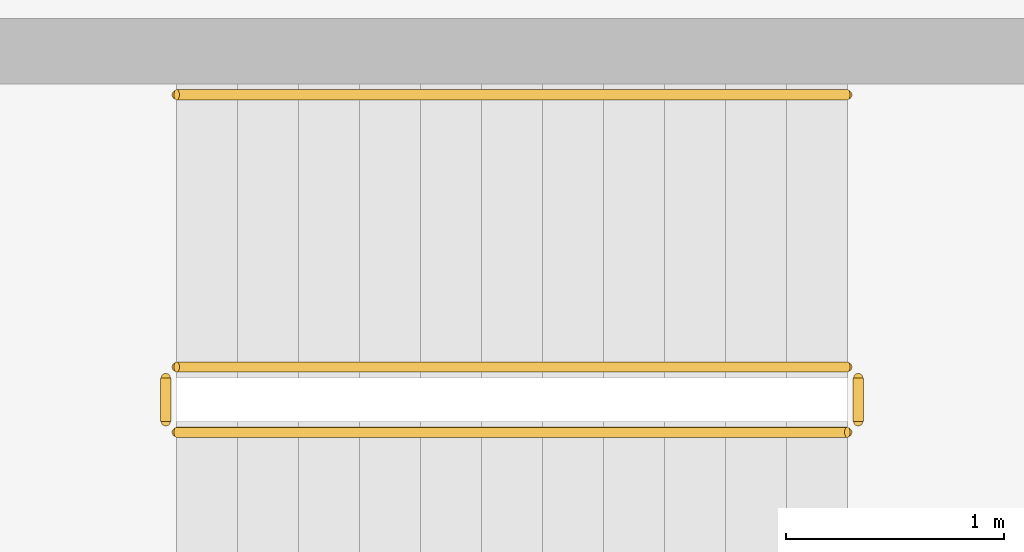
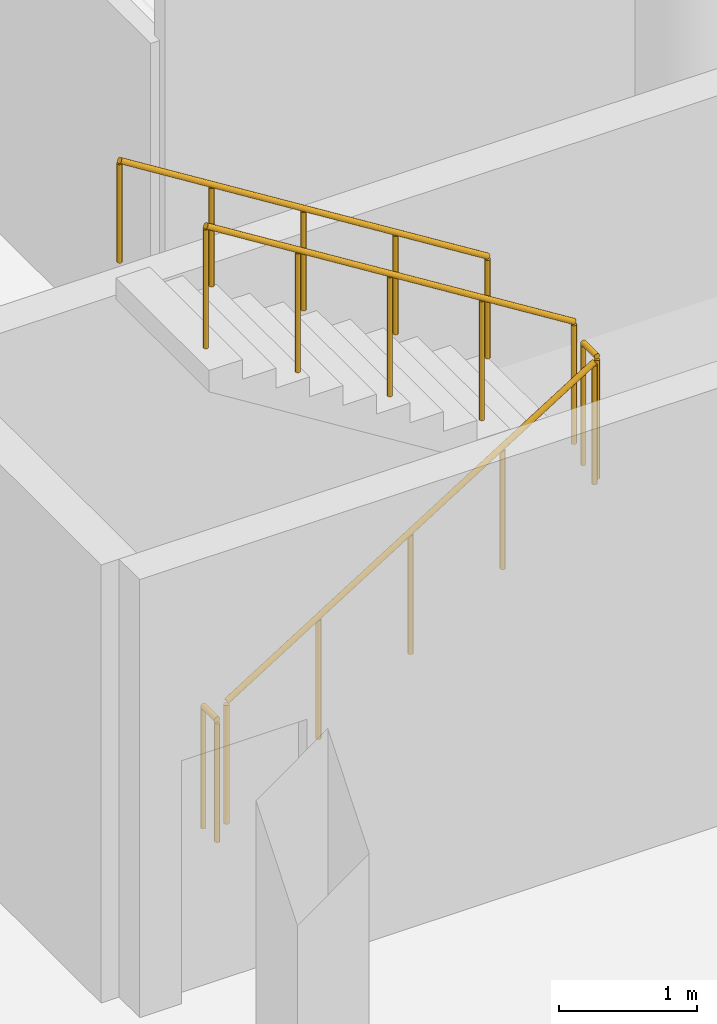
# One storey, part 87 of 90: 5 railings.
"""IFC4 building model written with IfcOpenShell, lengths in metres."""

import ifcopenshell
import ifcopenshell.guid

model = None  # the IFC model being written
_history = None  # IfcOwnerHistory: only IFC2X3 demands one
_inside = {}  # id of a spatial element -> (the spatial element, [elements in it])
_under = {}  # id of a project, library or spatial element -> (it, [spatial elements below it])
_declared = {}  # id of a project -> (the project, [libraries it declares])
_typed = {}  # id of a type object -> (the type object, [elements of that type])
_made_of = {}  # id of a material, layer set ... -> (it, [elements and type objects made of it])


def new_model(schema):
    """Start an empty IFC model of exactly this schema.

    Asked for "IFC4X3", IfcOpenShell would pick the latest addendum, in which some entities
    have other attributes; the version numbers below select the first issue.
    IFC2X3 requires an IfcOwnerHistory on every rooted entity: one is made here for all.
    """
    global model, _history
    if schema == "IFC4X3":
        model = ifcopenshell.file(schema_version=(4, 3, 0, 0))
    else:
        model = ifcopenshell.file(schema=schema)
    _inside.clear()
    _under.clear()
    _declared.clear()
    _typed.clear()
    _made_of.clear()
    _history = None
    if model.schema == "IFC2X3":
        org = make("IfcOrganization", Name="unknown")
        user = make(
            "IfcPersonAndOrganization",
            ThePerson=make("IfcPerson", FamilyName="unknown"),
            TheOrganization=org,
        )
        app = make(
            "IfcApplication",
            ApplicationDeveloper=org,
            Version="unknown",
            ApplicationFullName="unknown",
            ApplicationIdentifier="unknown",
        )
        _history = make(
            "IfcOwnerHistory",
            OwningUser=user,
            OwningApplication=app,
            ChangeAction="ADDED",
            CreationDate=0,
        )
    return model


def make(cls, **values):
    """One entity of the class cls with the attributes given. An attribute that is None is left unset."""
    return model.create_entity(
        cls, **{name: value for name, value in values.items() if value is not None}
    )


def rooted(cls, **values):
    """An entity with a GlobalId (a new one), such as an element, a storey or a relation."""
    return make(cls, GlobalId=ifcopenshell.guid.new(), OwnerHistory=_history, **values)


def si_unit(unit_type, name, prefix=None):
    """IfcSIUnit, for example si_unit("LENGTHUNIT", "METRE", prefix="MILLI")."""
    return make("IfcSIUnit", UnitType=unit_type, Prefix=prefix, Name=name)


def assignment(units):
    """IfcUnitAssignment: the units of a project."""
    return None if units is None else make("IfcUnitAssignment", Units=units)


def point(xyz):
    """IfcCartesianPoint."""
    return None if xyz is None else make("IfcCartesianPoint", Coordinates=xyz)


def direction(xyz):
    """IfcDirection."""
    return None if xyz is None else make("IfcDirection", DirectionRatios=xyz)


def frame(location, z_axis=None, x_axis=None):
    """IfcAxis2Placement3D, a coordinate frame: its origin and axes. An axis left out is left unset."""
    return make(
        "IfcAxis2Placement3D",
        Location=point(location),
        Axis=direction(z_axis),
        RefDirection=direction(x_axis),
    )


def frame_2d(location, x_axis=None):
    """IfcAxis2Placement2D, a coordinate frame in the plane: its origin and x axis."""
    return make(
        "IfcAxis2Placement2D", Location=point(location), RefDirection=direction(x_axis)
    )


def origin():
    """The frame at (0, 0, 0) with its axes left unset."""
    return frame((0.0, 0.0, 0.0))


def origin_2d():
    """The frame at (0, 0) in the plane with its x axis left unset."""
    return frame_2d((0.0, 0.0))


def place(relative_to, where):
    """IfcLocalPlacement: puts the frame where relative to a parent placement (None: the world)."""
    return make(
        "IfcLocalPlacement", PlacementRelTo=relative_to, RelativePlacement=where
    )


def context(
    kind, dimensions, precision=None, world=None, true_north=None, identifier=None
):
    """IfcGeometricRepresentationContext, for example the 3D "Model" context."""
    return make(
        "IfcGeometricRepresentationContext",
        ContextIdentifier=identifier,
        ContextType=kind,
        CoordinateSpaceDimension=dimensions,
        Precision=precision,
        WorldCoordinateSystem=world,
        TrueNorth=true_north,
    )


def subcontext(parent, identifier, kind, view, scale=None):
    """IfcGeometricRepresentationSubContext, for example "Body" below "Model"."""
    return make(
        "IfcGeometricRepresentationSubContext",
        ContextIdentifier=identifier,
        ContextType=kind,
        ParentContext=parent,
        TargetScale=scale,
        TargetView=view,
    )


def project(units=None, contexts=None):
    """IfcProject with its units and contexts."""
    return rooted(
        "IfcProject",
        Name="project",
        RepresentationContexts=contexts,
        UnitsInContext=assignment(units),
    )


def spatial(cls, under=None, at=None, **own):
    """A site, building, storey or space (cls), placed at a placement, below another one or the project."""
    s = rooted(cls, ObjectPlacement=at, **own)
    if under is not None:
        _under.setdefault(under.id(), (under, []))[1].append(s)
    return s


def profile(cls, at=None, kind="AREA", **sizes):
    """A parametric profile (cls). Its sizes go by their IFC names, for example OverallWidth=200.0."""
    return make(cls, ProfileType=kind, Position=at, **sizes)


def circle(**sizes):
    """IfcCircleProfileDef."""
    return profile("IfcCircleProfileDef", **sizes)


def extrude(swept, where, along, depth):
    """IfcExtrudedAreaSolid: the profile swept, set in the frame where, extruded along a direction by depth."""
    return make(
        "IfcExtrudedAreaSolid",
        SweptArea=swept,
        Position=where,
        ExtrudedDirection=direction(along),
        Depth=depth,
    )


def shape(context_of_items, identifier, shape_type, items):
    """IfcShapeRepresentation: the items that make up one representation, for example the "Body"."""
    return make(
        "IfcShapeRepresentation",
        ContextOfItems=context_of_items,
        RepresentationIdentifier=identifier,
        RepresentationType=shape_type,
        Items=items,
    )


def material(Name=None, Category=None):
    """IfcMaterial."""
    return make("IfcMaterial", Name=Name, Category=Category)


def layer(
    of_material, thickness, ventilated=None, Name=None, Category=None, Priority=None
):
    """IfcMaterialLayer: one layer of a wall or slab, of a material (None: an air gap)."""
    return make(
        "IfcMaterialLayer",
        Material=of_material,
        LayerThickness=thickness,
        IsVentilated=ventilated,
        Name=Name,
        Category=Category,
        Priority=Priority,
    )


def layer_set(layers, Name=None):
    """IfcMaterialLayerSet."""
    return make("IfcMaterialLayerSet", MaterialLayers=layers, LayerSetName=Name)


def made_of(thing, what):
    """Note that an element or type object is made of a material, layer set ...; save() writes the relation."""
    if what is not None:
        _made_of.setdefault(what.id(), (what, []))[1].append(thing)
    return thing


def type_object(cls, material=None, **own):
    """A type object (cls), such as IfcWallType, which elements share."""
    return made_of(rooted(cls, **own), material)


def element(
    cls,
    number,
    at=None,
    inside=None,
    cuts=None,
    type_object=None,
    material=None,
    context=None,
    identifier="Body",
    shape_type=None,
    held_by="IfcProductDefinitionShape",
    body=None,
    shapes=None,
    **own,
):
    """One element of the class cls, such as IfcWall. Its Tag is "e" and its number.

    at: its placement. inside: the storey or other place that contains it. cuts: it is an
    opening in that element (IfcRelVoidsElement). A single representation is given by context,
    identifier, shape_type and body (its items); several are given by shapes. held_by: the class
    of the entity that holds the representations. save() writes the other relations.
    """
    e = rooted(cls, Tag="e%d" % number, ObjectPlacement=at, **own)
    if body is not None:
        shapes = [shape(context, identifier, shape_type, body)]
    if shapes is not None:
        e.Representation = make(held_by, Representations=shapes)
    if inside is not None:
        _inside.setdefault(inside.id(), (inside, []))[1].append(e)
    if cuts is not None:
        rooted(
            "IfcRelVoidsElement", RelatingBuildingElement=cuts, RelatedOpeningElement=e
        )
    if type_object is not None:
        _typed.setdefault(type_object.id(), (type_object, []))[1].append(e)
    return made_of(e, material)


def aggregate(whole, parts):
    """IfcRelAggregates: a whole, such as a stair, and the parts it consists of."""
    return rooted("IfcRelAggregates", RelatingObject=whole, RelatedObjects=parts)


def save(model, path):
    """Write the relations noted so far, then the file.

    IfcRelAggregates (storeys below a building ...), IfcRelContainedInSpatialStructure (elements
    in a storey), IfcRelDefinesByType, IfcRelAssociatesMaterial and IfcRelDeclares: one each for
    every whole, place, type object, material and project.
    """
    for whole, parts in _under.values():
        aggregate(whole, parts)
    for where, things in _inside.values():
        rooted(
            "IfcRelContainedInSpatialStructure",
            RelatedElements=things,
            RelatingStructure=where,
        )
    for kind, things in _typed.values():
        rooted("IfcRelDefinesByType", RelatedObjects=things, RelatingType=kind)
    for what, things in _made_of.values():
        rooted("IfcRelAssociatesMaterial", RelatedObjects=things, RelatingMaterial=what)
    for by, libraries in _declared.values():
        rooted("IfcRelDeclares", RelatingContext=by, RelatedDefinitions=libraries)
    model.write(path)


model = new_model("IFC4")

# Units and contexts
model_context = context("Model", 3, precision=1e-05, world=origin(), true_north=direction((0.0, 1.0)))
body_context = subcontext(model_context, "Body", "Model", "MODEL_VIEW")
ifc_project = project(units=[si_unit("LENGTHUNIT", "METRE"), si_unit("AREAUNIT", "SQUARE_METRE"), si_unit("VOLUMEUNIT", "CUBIC_METRE"), si_unit("PLANEANGLEUNIT", "RADIAN"), si_unit("MASSUNIT", "GRAM", prefix="KILO")], contexts=[model_context])

# Site, building, storey
site_placement = place(None, origin())
site = spatial("IfcSite", under=ifc_project, at=site_placement, CompositionType="ELEMENT")
building_placement = place(site_placement, origin())
building = spatial("IfcBuilding", under=site, at=building_placement, Name="Solanera Park Tramway Depot", CompositionType="ELEMENT")
storey_placement = place(building_placement, frame((0.0, 0.0, 9.0)))
storey = spatial("IfcBuildingStorey", under=building, at=storey_placement, Name="L02", CompositionType="ELEMENT", Elevation=9.0)

# Railings
ifc_material_1 = material(Name="Brushed stainless steel 316 handrail", Category="steel")
ifc_layer_1 = layer(ifc_material_1, 0.050048828125)
ifc_layer_set_1 = layer_set([ifc_layer_1], Name="Brushed stainless steel 316 handrail")
railing_type_1 = type_object("IfcRailingType", Name="Stair Pitch Tubular Handrail 920", PredefinedType="HANDRAIL", material=ifc_layer_set_1)
railing_1_placement = place(storey_placement, frame((177.179931640625, 23.050048828125, 2.27490234375)))
element("IfcRailing", 1, at=railing_1_placement, inside=storey, type_object=railing_type_1, Name="ST-04 L02 Pitch Handrail 2", PredefinedType="HANDRAIL", context=body_context, shape_type="SweptSolid", body=[
    extrude(circle(Radius=0.02392578125, at=origin_2d()), frame((0.0, 0.0, 0.89599609375), z_axis=(-0.847979421464, 0.0, 0.530029150871), x_axis=(0.0, -1.0, 0.0)), (0.0, 0.0, 1.0), 3.632080078125),
    extrude(circle(Radius=0.02099609375, at=origin_2d()), origin(), (0.0, 0.0, 1.0), 0.871826171875),
    extrude(circle(Radius=0.02099609375, at=origin_2d()), frame((-0.77001953125, 0.0, 0.481201171875)), (0.0, 0.0, 1.0), 0.871826171875),
    extrude(circle(Radius=0.02099609375, at=origin_2d()), frame((-1.5400390625, 0.0, 0.96240234375)), (0.0, 0.0, 1.0), 0.871826171875),
    extrude(circle(Radius=0.02099609375, at=origin_2d()), frame((-2.309814453125, 0.0, 1.44384765625)), (0.0, 0.0, 1.0), 0.871826171875),
    extrude(circle(Radius=0.02099609375, at=origin_2d()), frame((-3.079833984375, 0.0, 1.925048828125)), (0.0, 0.0, 1.0), 0.871826171875),
])
ifc_material_2 = material(Name="Steel AS/NZS 1163 Grade C350L0", Category="steel")
ifc_layer_2 = layer(ifc_material_2, 0.06005859375)
ifc_layer_set_2 = layer_set([ifc_layer_2], Name="Steel AS/NZS 1163 Grade C350L0")
railing_type_2 = type_object("IfcRailingType", Name="Stairwell Guardrail 1100", PredefinedType="GUARDRAIL", material=ifc_layer_set_2)
railing_2_placement = place(storey_placement, frame((174.10009765625, 21.5, 0.175048828125)))
element("IfcRailing", 2, at=railing_2_placement, inside=storey, type_object=railing_type_2, Name="ST-04 L02 Well Guard 1", PredefinedType="GUARDRAIL", context=body_context, shape_type="SweptSolid", body=[
    extrude(circle(Radius=0.02392578125, at=origin_2d()), frame((0.0, 0.0, 1.076171875), z_axis=(0.847979421464, 0.0, 0.530029150871), x_axis=(0.0, 1.0, 0.0)), (0.0, 0.0, 1.0), 3.632080078125),
    extrude(circle(Radius=0.02099609375, at=origin_2d()), origin(), (0.0, 0.0, 1.0), 1.052001953125),
    extrude(circle(Radius=0.02099609375, at=origin_2d()), frame((0.77001953125, 0.0, 0.481201171875)), (0.0, 0.0, 1.0), 1.052001953125),
    extrude(circle(Radius=0.02099609375, at=origin_2d()), frame((1.5400390625, 0.0, 0.96240234375)), (0.0, 0.0, 1.0), 1.052001953125),
    extrude(circle(Radius=0.02099609375, at=origin_2d()), frame((2.309814453125, 0.0, 1.44384765625)), (0.0, 0.0, 1.0), 1.052001953125),
    extrude(circle(Radius=0.02099609375, at=origin_2d()), frame((3.079833984375, 0.0, 1.925048828125)), (0.0, 0.0, 1.0), 1.052001953125),
])
railing_3_placement = place(storey_placement, frame((177.22998046875, 21.550048828125, 2.10009765625)))
element("IfcRailing", 3, at=railing_3_placement, inside=storey, type_object=railing_type_2, Name="ST-04 L02 Well Guard 2", PredefinedType="GUARDRAIL", context=body_context, shape_type="SweptSolid", body=[
    extrude(circle(Radius=0.02392578125, at=origin_2d()), frame((0.0, 0.0, 1.076171875), z_axis=(0.0, 1.0, 0.0), x_axis=(-1.0, 0.0, 0.0)), (0.0, 0.0, 1.0), 0.199951171875),
    extrude(circle(Radius=0.02099609375, at=origin_2d()), origin(), (0.0, 0.0, 1.0), 1.052001953125),
    extrude(circle(Radius=0.02099609375, at=origin_2d()), frame((0.0, 0.199951171875, 0.0)), (0.0, 0.0, 1.0), 1.052001953125),
])
railing_4_placement = place(storey_placement, frame((177.179931640625, 21.800048828125, 2.27490234375)))
element("IfcRailing", 4, at=railing_4_placement, inside=storey, type_object=railing_type_2, Name="ST-04 L02 Well Guard 3", PredefinedType="GUARDRAIL", context=body_context, shape_type="SweptSolid", body=[
    extrude(circle(Radius=0.02392578125, at=origin_2d()), frame((0.0, 0.0, 1.076171875), z_axis=(-0.847979421464, 0.0, 0.530029150871), x_axis=(0.0, -1.0, 0.0)), (0.0, 0.0, 1.0), 3.632080078125),
    extrude(circle(Radius=0.02099609375, at=origin_2d()), origin(), (0.0, 0.0, 1.0), 1.052001953125),
    extrude(circle(Radius=0.02099609375, at=origin_2d()), frame((-0.77001953125, 0.0, 0.481201171875)), (0.0, 0.0, 1.0), 1.052001953125),
    extrude(circle(Radius=0.02099609375, at=origin_2d()), frame((-1.5400390625, 0.0, 0.96240234375)), (0.0, 0.0, 1.0), 1.052001953125),
    extrude(circle(Radius=0.02099609375, at=origin_2d()), frame((-2.309814453125, 0.0, 1.44384765625)), (0.0, 0.0, 1.0), 1.052001953125),
    extrude(circle(Radius=0.02099609375, at=origin_2d()), frame((-3.079833984375, 0.0, 1.925048828125)), (0.0, 0.0, 1.0), 1.052001953125),
])
railing_5_placement = place(storey_placement, frame((174.050048828125, 21.550048828125, 0.0)))
element("IfcRailing", 5, at=railing_5_placement, inside=storey, type_object=railing_type_2, Name="ST-04 L02 Well Guard 4", PredefinedType="GUARDRAIL", context=body_context, shape_type="SweptSolid", body=[
    extrude(circle(Radius=0.02392578125, at=origin_2d()), frame((0.0, 0.0, 1.076171875), z_axis=(0.0, 1.0, 0.0), x_axis=(-1.0, 0.0, 0.0)), (0.0, 0.0, 1.0), 0.199951171875),
    extrude(circle(Radius=0.02099609375, at=origin_2d()), origin(), (0.0, 0.0, 1.0), 1.052001953125),
    extrude(circle(Radius=0.02099609375, at=origin_2d()), frame((0.0, 0.199951171875, 0.0)), (0.0, 0.0, 1.0), 1.052001953125),
])

save(model, "model.ifc")
